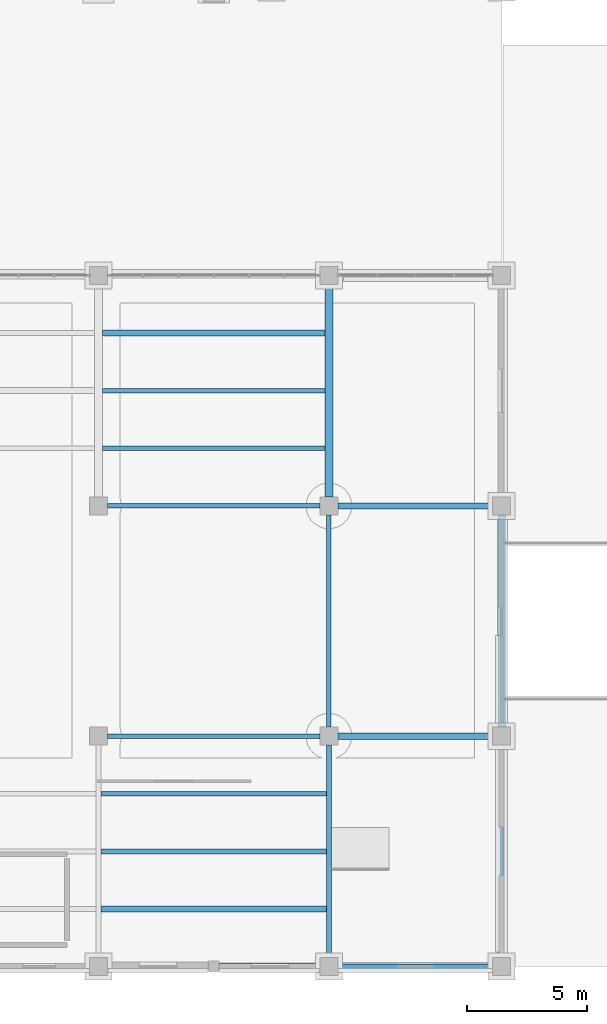
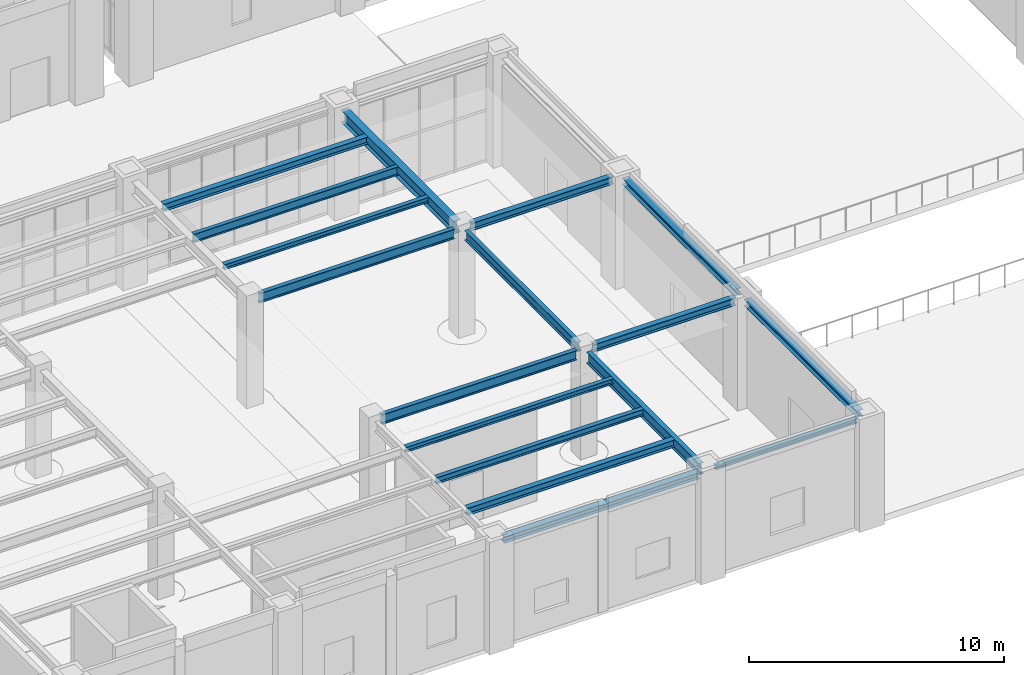
# One storey, part 37 of 164: 17 beams.
"""IFC4 building model written with IfcOpenShell, lengths in metres."""

from ifc_helpers import new_model, si_unit, direction, frame, origin, origin_2d, place, context, subcontext, project, spatial, i_section, extrude, material, material_profile, profile_set, type_object, element, save


model = new_model("IFC4")

# Units and contexts
model_context = context("Model", 3, precision=1e-05, world=origin(), true_north=direction((0.0, 1.0)))
body_context = subcontext(model_context, "Body", "Model", "MODEL_VIEW")
ifc_project = project(units=[si_unit("LENGTHUNIT", "METRE"), si_unit("AREAUNIT", "SQUARE_METRE"), si_unit("VOLUMEUNIT", "CUBIC_METRE"), si_unit("PLANEANGLEUNIT", "RADIAN"), si_unit("MASSUNIT", "GRAM", prefix="KILO")], contexts=[model_context])

# Site, building, storey
site_placement = place(None, origin())
site = spatial("IfcSite", under=ifc_project, at=site_placement, CompositionType="ELEMENT")
building_placement = place(site_placement, origin())
building = spatial("IfcBuilding", under=site, at=building_placement, Name="Mavantir Sound Aquarium", CompositionType="ELEMENT")
storey_placement = place(building_placement, origin())
storey = spatial("IfcBuildingStorey", under=building, at=storey_placement, Name="L00", CompositionType="ELEMENT", Elevation=0.0)

# Beams
ifc_material = material(Name="Structural Steel ASTM A992 Gr50", Category="steel")
ifc_material_profile_1 = material_profile(ifc_material, i_section(OverallWidth=0.202880859375, OverallDepth=0.202880859375, WebThickness=0.007080078125, FlangeThickness=0.010986328125, FilletRadius=0.010009765625, at=origin_2d()), Name="W200X46")
ifc_profile_set_1 = profile_set([ifc_material_profile_1], Name="Structural Steel ASTM A992 Gr50")
beam_type_1 = type_object("IfcBeamType", Name="BM-W200X46-E", PredefinedType="LINTEL", material=ifc_profile_set_1)
beam_1_placement = place(storey_placement, frame((38.77490234375, 0.0, 5.014404296875), z_axis=(1.0, 0.0, 0.0), x_axis=(0.0, 1.0, 0.0)))
element("IfcBeam", 1, at=beam_1_placement, inside=storey, type_object=beam_type_1, Name="L00 primary beam SL-20 892", PredefinedType="LINTEL", context=body_context, shape_type="SweptSolid", body=[
    extrude(i_section(OverallWidth=0.202880859375, OverallDepth=0.202880859375, WebThickness=0.007080078125, FlangeThickness=0.010986328125, FilletRadius=0.010009765625, at=origin_2d()), origin(), (0.0, 0.0, 1.0), 6.4501953125),
])
ifc_material_profile_2 = material_profile(ifc_material, i_section(OverallWidth=0.202880859375, OverallDepth=0.251953125, WebThickness=0.008056640625, FlangeThickness=0.013427734375, FilletRadius=0.011962890625, at=origin_2d()), Name="W250X58")
ifc_profile_set_2 = profile_set([ifc_material_profile_2], Name="Structural Steel ASTM A992 Gr50")
beam_type_2 = type_object("IfcBeamType", Name="BM-W250X58-I", PredefinedType="JOIST", material=ifc_profile_set_2)
beam_2_placement = place(storey_placement, frame((28.89697265625, 7.199951171875, 4.969970703125), z_axis=(1.0, 0.0, 0.0), x_axis=(0.0, 1.0, 0.0)))
element("IfcBeam", 2, at=beam_2_placement, inside=storey, type_object=beam_type_2, Name="L00 secondary floor joist SJ-25 488", PredefinedType="JOIST", context=body_context, shape_type="SweptSolid", body=[
    extrude(i_section(OverallWidth=0.202880859375, OverallDepth=0.251953125, WebThickness=0.008056640625, FlangeThickness=0.013427734375, FilletRadius=0.011962890625, at=origin_2d()), origin(), (0.0, 0.0, 1.0), 9.39697265625),
])
beam_3_placement = place(storey_placement, frame((28.9619140625, 21.60009765625, 4.969970703125), z_axis=(1.0, 0.0, 0.0), x_axis=(0.0, 1.0, 0.0)))
element("IfcBeam", 3, at=beam_3_placement, inside=storey, type_object=beam_type_2, Name="L00 secondary floor joist SJ-25 504", PredefinedType="JOIST", context=body_context, shape_type="SweptSolid", body=[
    extrude(i_section(OverallWidth=0.202880859375, OverallDepth=0.251953125, WebThickness=0.008056640625, FlangeThickness=0.013427734375, FilletRadius=0.011962890625, at=origin_2d()), origin(), (0.0, 0.0, 1.0), 9.276123046875),
])
ifc_material_profile_3 = material_profile(ifc_material, i_section(OverallWidth=0.205078125, OverallDepth=0.31005859375, WebThickness=0.009521484375, FlangeThickness=0.016357421875, FilletRadius=0.012939453125, at=origin_2d()), Name="W310X74")
ifc_profile_set_3 = profile_set([ifc_material_profile_3], Name="Structural Steel ASTM A992 Gr50")
beam_type_3 = type_object("IfcBeamType", Name="BM-W310X74-I", PredefinedType="JOIST", material=ifc_profile_set_3)
beam_4_placement = place(storey_placement, frame((28.89697265625, 4.800048828125, 4.94091796875), z_axis=(1.0, 0.0, 0.0), x_axis=(0.0, 1.0, 0.0)))
element("IfcBeam", 4, at=beam_4_placement, inside=storey, type_object=beam_type_3, Name="L00 secondary floor joist SJ-31 487", PredefinedType="JOIST", context=body_context, shape_type="SweptSolid", body=[
    extrude(i_section(OverallWidth=0.205078125, OverallDepth=0.31005859375, WebThickness=0.009521484375, FlangeThickness=0.016357421875, FilletRadius=0.012939453125, at=origin_2d()), origin(), (0.0, 0.0, 1.0), 9.39697265625),
])
ifc_material_profile_4 = material_profile(ifc_material, i_section(OverallWidth=0.304931640625, OverallDepth=0.30810546875, WebThickness=0.010009765625, FlangeThickness=0.015380859375, FilletRadius=0.014892578125, at=origin_2d()), Name="W310X97")
ifc_profile_set_4 = profile_set([ifc_material_profile_4], Name="Structural Steel ASTM A992 Gr50")
beam_type_4 = type_object("IfcBeamType", Name="BM-W310X97-E", PredefinedType="SPANDREL", material=ifc_profile_set_4)
beam_5_placement = place(storey_placement, frame((29.175048828125, 0.0, 4.94189453125), z_axis=(1.0, 0.0, 0.0), x_axis=(0.0, 1.0, 0.0)))
element("IfcBeam", 5, at=beam_5_placement, inside=storey, type_object=beam_type_4, Name="L00 primary beam SS-31A 891", PredefinedType="SPANDREL", context=body_context, shape_type="SweptSolid", body=[
    extrude(i_section(OverallWidth=0.304931640625, OverallDepth=0.30810546875, WebThickness=0.010009765625, FlangeThickness=0.015380859375, FilletRadius=0.014892578125, at=origin_2d()), origin(), (0.0, 0.0, 1.0), 8.849853515625),
])
beam_6_placement = place(storey_placement, frame((45.60009765625, 0.375, 4.9619140625), z_axis=(0.0, 1.0, 0.0), x_axis=(-1.0, 0.0, 0.0)))
element("IfcBeam", 6, at=beam_6_placement, inside=storey, type_object=beam_type_4, Name="L00 primary girder SS-31A 920", PredefinedType="SPANDREL", context=body_context, shape_type="SweptSolid", body=[
    extrude(i_section(OverallWidth=0.304931640625, OverallDepth=0.30810546875, WebThickness=0.010009765625, FlangeThickness=0.015380859375, FilletRadius=0.014892578125, at=origin_2d()), origin(), (0.0, 0.0, 1.0), 8.85009765625),
])
beam_7_placement = place(storey_placement, frame((45.60009765625, 9.97509765625, 4.9619140625), z_axis=(0.0, 1.0, 0.0), x_axis=(-1.0, 0.0, 0.0)))
element("IfcBeam", 7, at=beam_7_placement, inside=storey, type_object=beam_type_4, Name="L00 primary girder SS-31A 921", PredefinedType="SPANDREL", context=body_context, shape_type="SweptSolid", body=[
    extrude(i_section(OverallWidth=0.304931640625, OverallDepth=0.30810546875, WebThickness=0.010009765625, FlangeThickness=0.015380859375, FilletRadius=0.014892578125, at=origin_2d()), origin(), (0.0, 0.0, 1.0), 8.849853515625),
])
ifc_material_profile_5 = material_profile(ifc_material, i_section(OverallWidth=0.257080078125, OverallDepth=0.363037109375, WebThickness=0.012939453125, FlangeThickness=0.021728515625, FilletRadius=0.014892578125, at=origin_2d()), Name="W360X122")
ifc_profile_set_5 = profile_set([ifc_material_profile_5], Name="Structural Steel ASTM A992 Gr50")
beam_type_5 = type_object("IfcBeamType", Name="BM-W360X122-I", PredefinedType="BEAM", material=ifc_profile_set_5)
for number, where, z_axis, x_axis, name in (
    (8, (38.77490234375, 9.60009765625, 4.9345703125), (1.0, 0.0, 0.0), (0.0, 1.0, 0.0), "L00 primary beam SB-36A 896"),
    (9, (38.77490234375, 19.199951171875, 4.9345703125), (1.0, 0.0, 0.0), (0.0, 1.0, 0.0), "L00 primary beam SB-36A 900"),
):
    element("IfcBeam", number, at=place(storey_placement, frame(where, z_axis=z_axis, x_axis=x_axis)), inside=storey, type_object=beam_type_5, Name=name, PredefinedType="BEAM", context=body_context, shape_type="SweptSolid", body=[
        extrude(i_section(OverallWidth=0.257080078125, OverallDepth=0.363037109375, WebThickness=0.012939453125, FlangeThickness=0.021728515625, FilletRadius=0.014892578125, at=origin_2d()), origin(), (0.0, 0.0, 1.0), 6.4501953125),
    ])
ifc_material_profile_6 = material_profile(ifc_material, i_section(OverallWidth=0.25390625, OverallDepth=0.35302734375, WebThickness=0.009521484375, FlangeThickness=0.016357421875, FilletRadius=0.014892578125, at=origin_2d()), Name="W360X91")
ifc_profile_set_6 = profile_set([ifc_material_profile_6], Name="Structural Steel ASTM A992 Gr50")
beam_type_6 = type_object("IfcBeamType", Name="BM-W360X91-I", PredefinedType="JOIST", material=ifc_profile_set_6)
beam_8_placement = place(storey_placement, frame((28.89697265625, 2.39990234375, 4.91943359375), z_axis=(1.0, 0.0, 0.0), x_axis=(0.0, 1.0, 0.0)))
element("IfcBeam", 10, at=beam_8_placement, inside=storey, type_object=beam_type_6, Name="L00 secondary floor joist SJ-36 486", PredefinedType="JOIST", context=body_context, shape_type="SweptSolid", body=[
    extrude(i_section(OverallWidth=0.25390625, OverallDepth=0.35302734375, WebThickness=0.009521484375, FlangeThickness=0.016357421875, FilletRadius=0.014892578125, at=origin_2d()), origin(), (0.0, 0.0, 1.0), 9.39697265625),
])
beam_9_placement = place(storey_placement, frame((28.9619140625, 26.39990234375, 4.91943359375), z_axis=(1.0, 0.0, 0.0), x_axis=(0.0, 1.0, 0.0)))
element("IfcBeam", 11, at=beam_9_placement, inside=storey, type_object=beam_type_6, Name="L00 secondary floor joist SJ-36 506", PredefinedType="JOIST", context=body_context, shape_type="SweptSolid", body=[
    extrude(i_section(OverallWidth=0.25390625, OverallDepth=0.35302734375, WebThickness=0.009521484375, FlangeThickness=0.016357421875, FilletRadius=0.014892578125, at=origin_2d()), origin(), (0.0, 0.0, 1.0), 9.276123046875),
])
ifc_material_profile_7 = material_profile(ifc_material, i_section(OverallWidth=0.180908203125, OverallDepth=0.4169921875, WebThickness=0.010986328125, FlangeThickness=0.018310546875, FilletRadius=0.014892578125, at=origin_2d()), Name="W410X85")
ifc_profile_set_7 = profile_set([ifc_material_profile_7], Name="Structural Steel ASTM A992 Gr50")
beam_type_7 = type_object("IfcBeamType", Name="BM-W410X85-I", PredefinedType="JOIST", material=ifc_profile_set_7)
beam_10_placement = place(storey_placement, frame((28.9619140625, 24.0, 4.887451171875), z_axis=(1.0, 0.0, 0.0), x_axis=(0.0, 1.0, 0.0)))
element("IfcBeam", 12, at=beam_10_placement, inside=storey, type_object=beam_type_7, Name="L00 secondary floor joist SJ-41 505", PredefinedType="JOIST", context=body_context, shape_type="SweptSolid", body=[
    extrude(i_section(OverallWidth=0.180908203125, OverallDepth=0.4169921875, WebThickness=0.010986328125, FlangeThickness=0.018310546875, FilletRadius=0.014892578125, at=origin_2d()), origin(), (0.0, 0.0, 1.0), 9.276123046875),
])
ifc_material_profile_8 = material_profile(ifc_material, i_section(OverallWidth=0.194091796875, OverallDepth=0.468994140625, WebThickness=0.0126953125, FlangeThickness=0.0205078125, FilletRadius=0.01611328125, at=origin_2d()), Name="W460X106")
ifc_profile_set_8 = profile_set([ifc_material_profile_8], Name="Structural Steel ASTM A992 Gr50")
beam_type_8 = type_object("IfcBeamType", Name="BM-W460X106-I", PredefinedType="BEAM", material=ifc_profile_set_8)
for number, where, z_axis, x_axis, name in (
    (13, (29.175048828125, 9.60009765625, 4.861572265625), (1.0, 0.0, 0.0), (0.0, 1.0, 0.0), "L00 primary beam SB-46 895"),
    (14, (29.175048828125, 19.199951171875, 4.861572265625), (1.0, 0.0, 0.0), (0.0, 1.0, 0.0), "L00 primary beam SB-46 899"),
    (15, (38.39990234375, 9.97509765625, 4.861572265625), (0.0, 1.0, 0.0), (-1.0, 0.0, 0.0), "L00 primary girder SB-46 918"),
):
    element("IfcBeam", number, at=place(storey_placement, frame(where, z_axis=z_axis, x_axis=x_axis)), inside=storey, type_object=beam_type_8, Name=name, PredefinedType="BEAM", context=body_context, shape_type="SweptSolid", body=[
        extrude(i_section(OverallWidth=0.194091796875, OverallDepth=0.468994140625, WebThickness=0.0126953125, FlangeThickness=0.0205078125, FilletRadius=0.01611328125, at=origin_2d()), origin(), (0.0, 0.0, 1.0), 8.849853515625),
    ])
ifc_material_profile_9 = material_profile(ifc_material, i_section(OverallWidth=0.2119140625, OverallDepth=0.5439453125, WebThickness=0.01318359375, FlangeThickness=0.021240234375, FilletRadius=0.01806640625, at=origin_2d()), Name="W530X123")
ifc_profile_set_9 = profile_set([ifc_material_profile_9], Name="Structural Steel ASTM A992 Gr50")
beam_type_9 = type_object("IfcBeamType", Name="BM-W530X123-I", PredefinedType="BEAM", material=ifc_profile_set_9)
beam_11_placement = place(storey_placement, frame((38.39990234375, 0.375, 4.823974609375), z_axis=(0.0, 1.0, 0.0), x_axis=(-1.0, 0.0, 0.0)))
element("IfcBeam", 16, at=beam_11_placement, inside=storey, type_object=beam_type_9, Name="L00 primary girder SB-53 917", PredefinedType="BEAM", context=body_context, shape_type="SweptSolid", body=[
    extrude(i_section(OverallWidth=0.2119140625, OverallDepth=0.5439453125, WebThickness=0.01318359375, FlangeThickness=0.021240234375, FilletRadius=0.01806640625, at=origin_2d()), origin(), (0.0, 0.0, 1.0), 8.85009765625),
])
ifc_material_profile_10 = material_profile(ifc_material, i_section(OverallWidth=0.323974609375, OverallDepth=0.611083984375, WebThickness=0.0126953125, FlangeThickness=0.01904296875, FilletRadius=0.01904296875, at=origin_2d()), Name="W610X155")
ifc_profile_set_10 = profile_set([ifc_material_profile_10], Name="Structural Steel ASTM A992 Gr50")
beam_type_10 = type_object("IfcBeamType", Name="BM-W610X155-I", PredefinedType="BEAM", material=ifc_profile_set_10)
beam_12_placement = place(storey_placement, frame((38.39990234375, 19.574951171875, 4.79052734375), z_axis=(0.0, 1.0, 0.0), x_axis=(-1.0, 0.0, 0.0)))
element("IfcBeam", 17, at=beam_12_placement, inside=storey, type_object=beam_type_10, Name="L00 primary girder SB-61A 919", PredefinedType="BEAM", context=body_context, shape_type="SweptSolid", body=[
    extrude(i_section(OverallWidth=0.323974609375, OverallDepth=0.611083984375, WebThickness=0.0126953125, FlangeThickness=0.01904296875, FilletRadius=0.01904296875, at=origin_2d()), origin(), (0.0, 0.0, 1.0), 8.85009765625),
])

save(model, "model.ifc")
